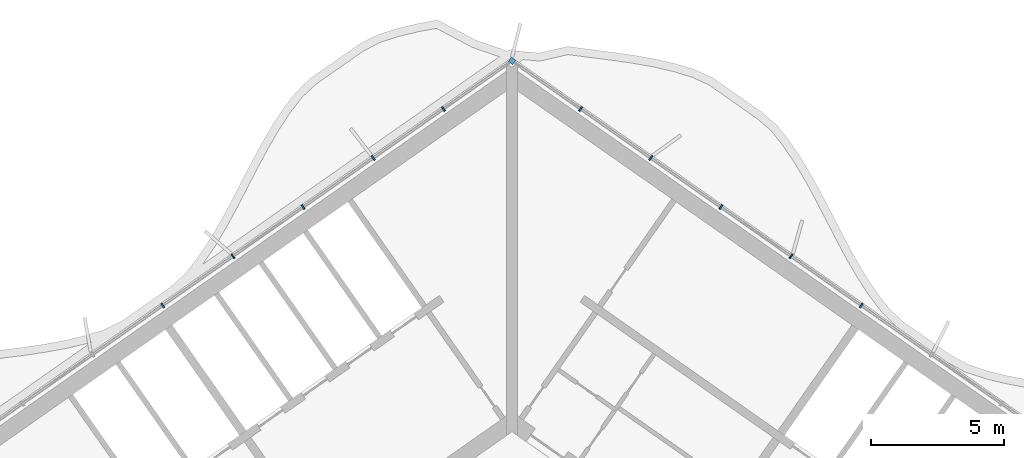
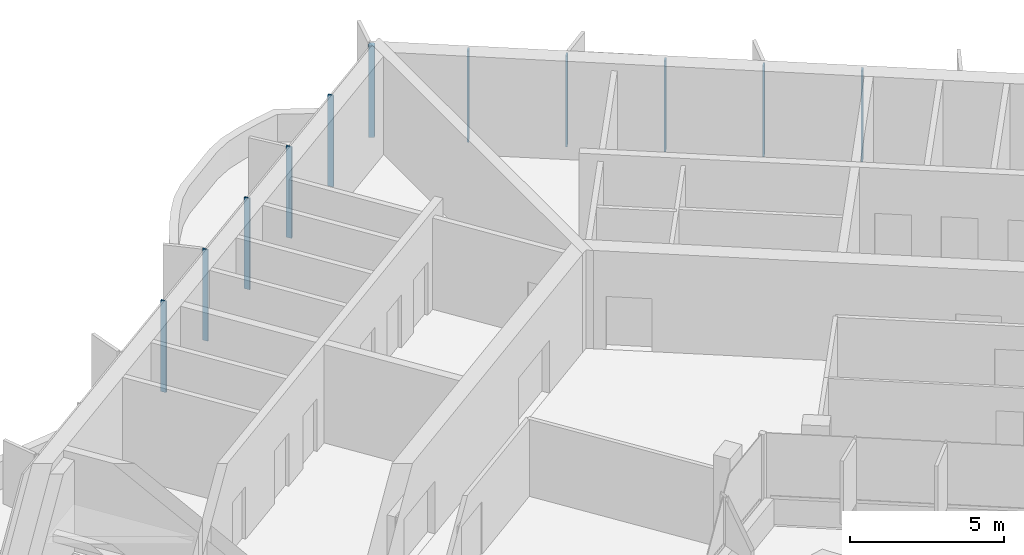
# One storey, part 6 of 17: 11 members, 1 element without a shape of its own.
"""IFC4 building model written with IfcOpenShell, lengths in metres."""

from ifc_helpers import new_model, si_unit, direction, frame, origin, origin_2d, place, context, subcontext, project, spatial, rectangle, extrude, material, material_profile, profile_set, type_object, element, aggregate, save


model = new_model("IFC4")

# Units and contexts
model_context = context("Model", 3, precision=1e-05, world=origin(), true_north=direction((0.0, 1.0)))
body_context = subcontext(model_context, "Body", "Model", "MODEL_VIEW")
ifc_project = project(units=[si_unit("LENGTHUNIT", "METRE"), si_unit("AREAUNIT", "SQUARE_METRE"), si_unit("VOLUMEUNIT", "CUBIC_METRE"), si_unit("PLANEANGLEUNIT", "RADIAN"), si_unit("MASSUNIT", "GRAM", prefix="KILO")], contexts=[model_context])

# Site, building, storey
site_placement = place(None, origin())
site = spatial("IfcSite", under=ifc_project, at=site_placement, CompositionType="ELEMENT")
building_placement = place(site_placement, origin())
building = spatial("IfcBuilding", under=site, at=building_placement, Name="Tel Ilan Convention Tower", CompositionType="ELEMENT")
storey_placement = place(building_placement, frame((0.0, 0.0, 291.699951171875)))
storey = spatial("IfcBuildingStorey", under=building, at=storey_placement, Name="L69", CompositionType="ELEMENT", Elevation=291.699951171875)

# Curtain wall, members
ifc_material_1 = material(Name="Aluminium, bronze anodised", Category="aluminium")
curtain_wall_type = type_object("IfcCurtainWallType", Name="CW2 STICK CURTAIN WALL, SPANDREL PANELS", PredefinedType="NOTDEFINED", material=ifc_material_1)
curtain_wall_placement = place(storey_placement, origin())
curtain_wall = element("IfcCurtainWall", 1, at=curtain_wall_placement, inside=storey, type_object=curtain_wall_type, Name="Curtain wall CW2-52.01", PredefinedType="NOTDEFINED")
ifc_material_2 = material(Name="Aluminium, bronze anodised", Category="aluminium")
ifc_material_profile_1 = material_profile(ifc_material_2, rectangle(XDim=0.199951171875, YDim=0.199951171875, at=origin_2d()), Name="CW CORNER MULLION 200x200")
ifc_profile_set_1 = profile_set([ifc_material_profile_1], Name="Aluminium, bronze anodised")
member_type_1 = type_object("IfcMemberType", Name="CW CORNER MULLION 200x200", PredefinedType="MULLION", material=ifc_profile_set_1)
member_1_placement = place(storey_placement, frame((0.0, 12.696044921875, 0.0), z_axis=(0.0, 0.0, 1.0), x_axis=(-0.819152044289, 0.573576436351, 0.0)))
member_1 = element("IfcMember", 2, at=member_1_placement, type_object=member_type_1, Name="Corner mullion", PredefinedType="MULLION", context=body_context, shape_type="SweptSolid", body=[
    extrude(rectangle(XDim=0.199951171875, YDim=0.199951171875, at=origin_2d()), origin(), (0.0, 0.0, 1.0), 3.6201171875),
])
ifc_material_3 = material(Name="Aluminium, bronze anodised", Category="aluminium")
ifc_material_profile_2 = material_profile(ifc_material_3, rectangle(XDim=0.06005859375, YDim=0.199951171875, at=origin_2d()), Name="CW MULLION 60x200")
ifc_profile_set_2 = profile_set([ifc_material_profile_2], Name="Aluminium, bronze anodised")
member_type_2 = type_object("IfcMemberType", Name="CW MULLION 60x200", PredefinedType="MULLION", material=ifc_profile_set_2)
member_2_placement = place(storey_placement, frame((13.105712890625, 3.519287109375, 0.0), z_axis=(0.0, 0.0, 1.0), x_axis=(-0.819152044289, 0.573576436351, 0.0)))
member_2 = element("IfcMember", 3, at=member_2_placement, type_object=member_type_2, Name="Mullion", PredefinedType="MULLION", context=body_context, shape_type="SweptSolid", body=[
    extrude(rectangle(XDim=0.06005859375, YDim=0.199951171875, at=origin_2d()), origin(), (0.0, 0.0, 1.0), 3.6201171875),
])
member_3_placement = place(storey_placement, frame((10.47314453125, 5.36279296875, 0.0), z_axis=(0.0, 0.0, 1.0), x_axis=(-0.819152044289, 0.573576436351, 0.0)))
member_3 = element("IfcMember", 4, at=member_3_placement, type_object=member_type_2, Name="Mullion", PredefinedType="MULLION", context=body_context, shape_type="SweptSolid", body=[
    extrude(rectangle(XDim=0.06005859375, YDim=0.199951171875, at=origin_2d()), origin(), (0.0, 0.0, 1.0), 3.6201171875),
])
member_4_placement = place(storey_placement, frame((7.840576171875, 7.2060546875, 0.0), z_axis=(0.0, 0.0, 1.0), x_axis=(-0.819152044289, 0.573576436351, 0.0)))
member_4 = element("IfcMember", 5, at=member_4_placement, type_object=member_type_2, Name="Mullion", PredefinedType="MULLION", context=body_context, shape_type="SweptSolid", body=[
    extrude(rectangle(XDim=0.06005859375, YDim=0.199951171875, at=origin_2d()), origin(), (0.0, 0.0, 1.0), 3.6201171875),
])
member_5_placement = place(storey_placement, frame((5.207763671875, 9.049560546875, 0.0), z_axis=(0.0, 0.0, 1.0), x_axis=(-0.819152044289, 0.573576436351, 0.0)))
member_5 = element("IfcMember", 6, at=member_5_placement, type_object=member_type_2, Name="Mullion", PredefinedType="MULLION", context=body_context, shape_type="SweptSolid", body=[
    extrude(rectangle(XDim=0.06005859375, YDim=0.199951171875, at=origin_2d()), origin(), (0.0, 0.0, 1.0), 3.6201171875),
])
member_6_placement = place(storey_placement, frame((2.5751953125, 10.892822265625, 0.0), z_axis=(0.0, 0.0, 1.0), x_axis=(-0.819152044289, 0.573576436351, 0.0)))
member_6 = element("IfcMember", 7, at=member_6_placement, type_object=member_type_2, Name="Mullion", PredefinedType="MULLION", context=body_context, shape_type="SweptSolid", body=[
    extrude(rectangle(XDim=0.06005859375, YDim=0.199951171875, at=origin_2d()), origin(), (0.0, 0.0, 1.0), 3.6201171875),
])
member_7_placement = place(storey_placement, frame((-2.5751953125, 10.892822265625, 0.0), z_axis=(0.0, 0.0, 1.0), x_axis=(-0.819152044289, -0.573576436351, 0.0)))
member_7 = element("IfcMember", 8, at=member_7_placement, type_object=member_type_2, Name="Mullion", PredefinedType="MULLION", context=body_context, shape_type="SweptSolid", body=[
    extrude(rectangle(XDim=0.06005859375, YDim=0.199951171875, at=origin_2d()), origin(), (0.0, 0.0, 1.0), 3.6201171875),
])
member_8_placement = place(storey_placement, frame((-5.207763671875, 9.049560546875, 0.0), z_axis=(0.0, 0.0, 1.0), x_axis=(-0.819152044289, -0.573576436351, 0.0)))
member_8 = element("IfcMember", 9, at=member_8_placement, type_object=member_type_2, Name="Mullion", PredefinedType="MULLION", context=body_context, shape_type="SweptSolid", body=[
    extrude(rectangle(XDim=0.06005859375, YDim=0.199951171875, at=origin_2d()), origin(), (0.0, 0.0, 1.0), 3.6201171875),
])
member_9_placement = place(storey_placement, frame((-7.840576171875, 7.2060546875, 0.0), z_axis=(0.0, 0.0, 1.0), x_axis=(-0.819152044289, -0.573576436351, 0.0)))
member_9 = element("IfcMember", 10, at=member_9_placement, type_object=member_type_2, Name="Mullion", PredefinedType="MULLION", context=body_context, shape_type="SweptSolid", body=[
    extrude(rectangle(XDim=0.06005859375, YDim=0.199951171875, at=origin_2d()), origin(), (0.0, 0.0, 1.0), 3.6201171875),
])
member_10_placement = place(storey_placement, frame((-10.47314453125, 5.36279296875, 0.0), z_axis=(0.0, 0.0, 1.0), x_axis=(-0.819152044289, -0.573576436351, 0.0)))
member_10 = element("IfcMember", 11, at=member_10_placement, type_object=member_type_2, Name="Mullion", PredefinedType="MULLION", context=body_context, shape_type="SweptSolid", body=[
    extrude(rectangle(XDim=0.06005859375, YDim=0.199951171875, at=origin_2d()), origin(), (0.0, 0.0, 1.0), 3.6201171875),
])
member_11_placement = place(storey_placement, frame((-13.105712890625, 3.519287109375, 0.0), z_axis=(0.0, 0.0, 1.0), x_axis=(-0.819152044289, -0.573576436351, 0.0)))
member_11 = element("IfcMember", 12, at=member_11_placement, type_object=member_type_2, Name="Mullion", PredefinedType="MULLION", context=body_context, shape_type="SweptSolid", body=[
    extrude(rectangle(XDim=0.06005859375, YDim=0.199951171875, at=origin_2d()), origin(), (0.0, 0.0, 1.0), 3.6201171875),
])
aggregate(curtain_wall, [member_2, member_3, member_4, member_5, member_6, member_1, member_7, member_8, member_9, member_10, member_11])

save(model, "model.ifc")
